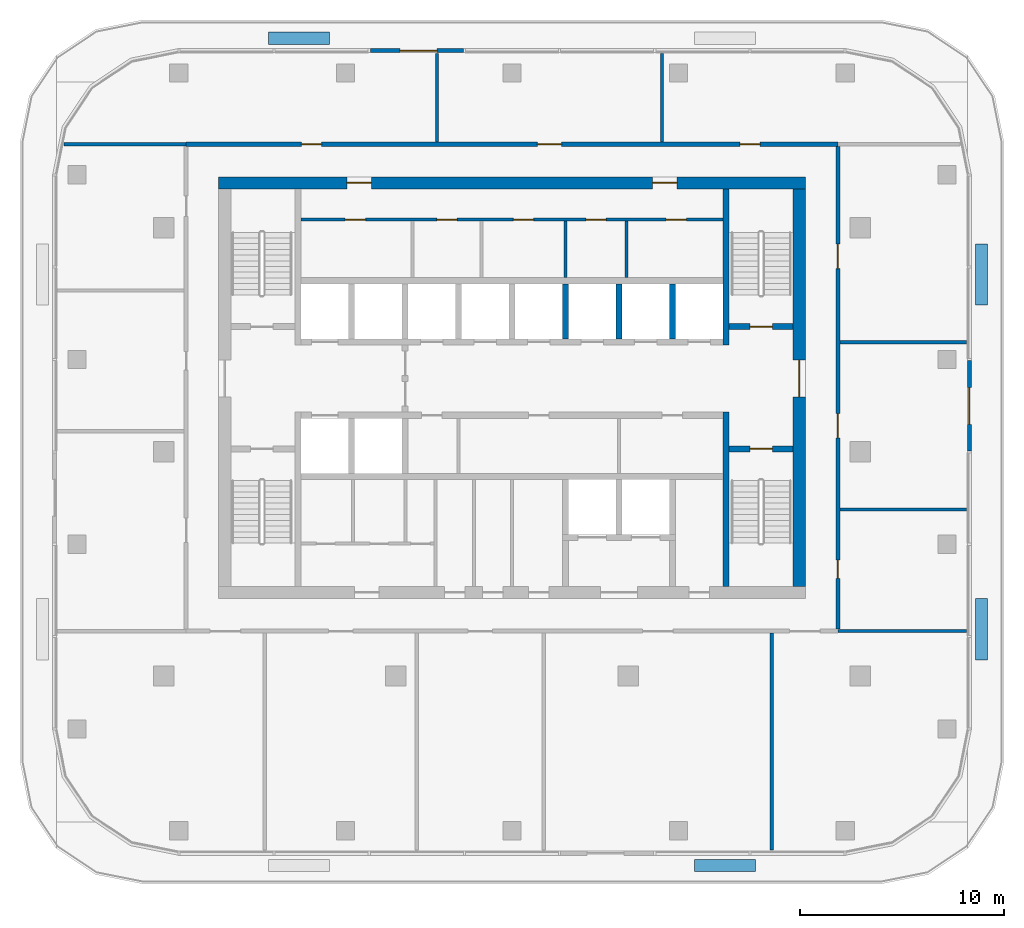
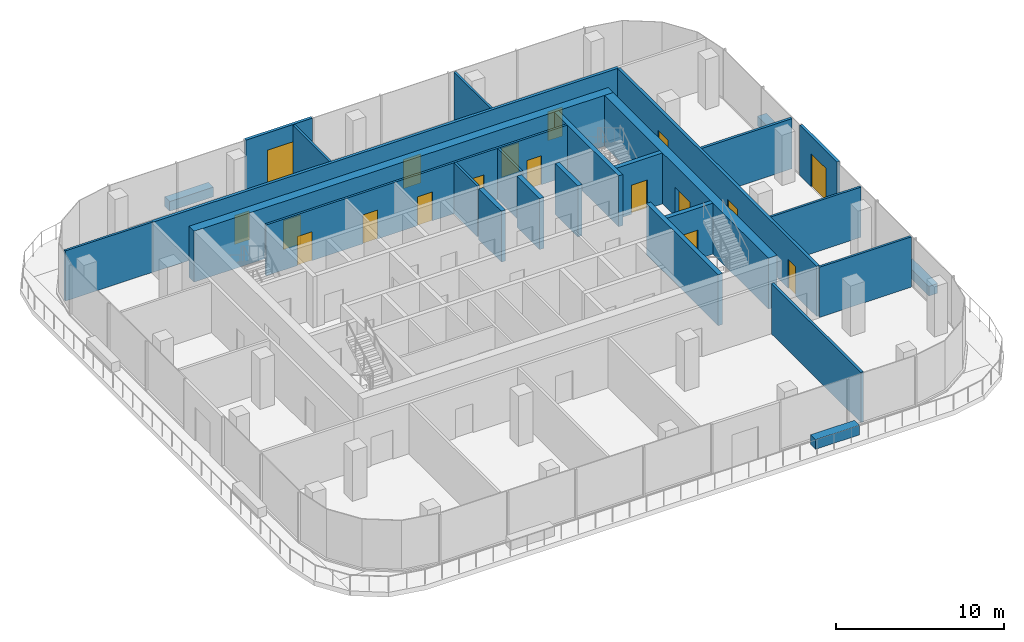
# One storey, part 8 of 12: 27 walls, 18 doors, 18 openings.
"""IFC4 building model written with IfcOpenShell, lengths in metres."""

from ifc_helpers import new_model, si_unit, direction, frame, frame_2d, origin, place, context, subcontext, project, spatial, rectangle, extrude, material, layer, layer_set, type_object, element, fill, save


model = new_model("IFC4")

# Units and contexts
model_context = context("Model", 3, precision=1e-05, world=origin(), true_north=direction((0.0, 1.0)))
body_context = subcontext(model_context, "Body", "Model", "MODEL_VIEW")
ifc_project = project(units=[si_unit("LENGTHUNIT", "METRE"), si_unit("AREAUNIT", "SQUARE_METRE"), si_unit("VOLUMEUNIT", "CUBIC_METRE"), si_unit("PLANEANGLEUNIT", "RADIAN"), si_unit("MASSUNIT", "GRAM", prefix="KILO")], contexts=[model_context])

# Site, building, storey
site_placement = place(None, origin())
site = spatial("IfcSite", under=ifc_project, at=site_placement, CompositionType="ELEMENT")
building_placement = place(site_placement, origin())
building = spatial("IfcBuilding", under=site, at=building_placement, Name="Mopane Tessera Tower", CompositionType="ELEMENT")
storey_placement = place(building_placement, frame((0.0, 0.0, 349.39990234375)))
storey = spatial("IfcBuildingStorey", under=building, at=storey_placement, Name="L76", CompositionType="ELEMENT", Elevation=349.39990234375)

# Walls
ifc_material_1 = material(Name="Fire-rated gypsum board partition")
ifc_layer_1 = layer(ifc_material_1, 0.14990234375)
ifc_layer_set_1 = layer_set([ifc_layer_1], Name="Fire-rated gypsum board partition")
wall_type_1 = type_object("IfcWallType", Name="Core room partition 150 mm", PredefinedType="PARTITIONING", material=ifc_layer_set_1)
for number, where, z_axis, x_axis, name in (
    (1, (2.625, 8.550048828125, 0.0), (0.0, 0.0, 1.0), (0.0, 1.0, 0.0), "L76 Room partition"),
    (2, (5.625, 8.550048828125, 0.0), (0.0, 0.0, 1.0), (0.0, 1.0, 0.0), "L76 Room partition"),
):
    element("IfcWall", number, at=place(storey_placement, frame(where, z_axis=z_axis, x_axis=x_axis)), inside=storey, type_object=wall_type_1, Name=name, PredefinedType="PARTITIONING", context=body_context, shape_type="SweptSolid", body=[
        extrude(rectangle(XDim=2.77490234375, YDim=0.14990234375, at=frame_2d((1.387451171875, 0.0))), origin(), (0.0, 0.0, 1.0), 3.7001953125),
    ])

# Wall, openings, doors
wall_1_placement = place(storey_placement, frame((-10.35009765625, 11.39990234375, 0.0), z_axis=(0.0, 0.0, 1.0), x_axis=(1.0, 0.0, 0.0)))
wall_1 = element("IfcWall", 3, at=wall_1_placement, inside=storey, type_object=wall_type_1, Name="L76 Corridor wall", PredefinedType="PARTITIONING", context=body_context, shape_type="SweptSolid", body=[
    extrude(rectangle(XDim=20.7001953125, YDim=0.14990234375, at=frame_2d((10.35009765625, 0.0))), origin(), (0.0, 0.0, 1.0), 3.7001953125),
])
opening_1_placement = place(wall_1_placement, frame((2.16259765625, 0.0, 0.0)))
opening_1 = element("IfcOpeningElement", 4, at=opening_1_placement, cuts=wall_1, Name="Opening RD1", PredefinedType="OPENING", context=body_context, shape_type="SweptSolid", body=[
    extrude(rectangle(XDim=1.0, YDim=2.10009765625, at=frame_2d((0.5, 1.050048828125))), frame((0.0, 0.0869140625, 0.0), z_axis=(0.0, -1.0, 0.0), x_axis=(1.0, 0.0, 0.0)), (0.0, 0.0, 1.0), 0.173828125),
])
opening_2_placement = place(wall_1_placement, frame((6.66259765625, 0.0, 0.0)))
opening_2 = element("IfcOpeningElement", 5, at=opening_2_placement, cuts=wall_1, Name="Opening RD1", PredefinedType="OPENING", context=body_context, shape_type="SweptSolid", body=[
    extrude(rectangle(XDim=1.0, YDim=2.10009765625, at=frame_2d((0.5, 1.050048828125))), frame((0.0, 0.0869140625, 0.0), z_axis=(0.0, -1.0, 0.0), x_axis=(1.0, 0.0, 0.0)), (0.0, 0.0, 1.0), 0.173828125),
])
opening_3_placement = place(wall_1_placement, frame((10.41259765625, 0.0, 0.0)))
opening_3 = element("IfcOpeningElement", 6, at=opening_3_placement, cuts=wall_1, Name="Opening RD1", PredefinedType="OPENING", context=body_context, shape_type="SweptSolid", body=[
    extrude(rectangle(XDim=1.0, YDim=2.10009765625, at=frame_2d((0.5, 1.050048828125))), frame((0.0, 0.0869140625, 0.0), z_axis=(0.0, -1.0, 0.0), x_axis=(1.0, 0.0, 0.0)), (0.0, 0.0, 1.0), 0.173828125),
])
opening_4_placement = place(wall_1_placement, frame((13.97509765625, 0.0, 0.0)))
opening_4 = element("IfcOpeningElement", 7, at=opening_4_placement, cuts=wall_1, Name="Opening RD1", PredefinedType="OPENING", context=body_context, shape_type="SweptSolid", body=[
    extrude(rectangle(XDim=1.0, YDim=2.10009765625, at=frame_2d((0.5, 1.050048828125))), frame((0.0, 0.0869140625, 0.0), z_axis=(0.0, -1.0, 0.0), x_axis=(1.0, 0.0, 0.0)), (0.0, 0.0, 1.0), 0.173828125),
])
opening_5_placement = place(wall_1_placement, frame((17.91259765625, 0.0, 0.0)))
opening_5 = element("IfcOpeningElement", 8, at=opening_5_placement, cuts=wall_1, Name="Opening RD1", PredefinedType="OPENING", context=body_context, shape_type="SweptSolid", body=[
    extrude(rectangle(XDim=1.0, YDim=2.10009765625, at=frame_2d((0.5, 1.050048828125))), frame((0.0, 0.0869140625, 0.0), z_axis=(0.0, -1.0, 0.0), x_axis=(1.0, 0.0, 0.0)), (0.0, 0.0, 1.0), 0.173828125),
])
ifc_material_2 = material(Name="Timber door", Category="wood")
door_type_1 = type_object("IfcDoorType", Name="Core room door 1000 x 2100", OperationType="SINGLE_SWING_LEFT", PredefinedType="DOOR", material=ifc_material_2)
door_1_placement = place(opening_1_placement, origin())
door_1 = element("IfcDoor", 9, at=door_1_placement, inside=storey, type_object=door_type_1, Name="L76 Room door", OperationType="SINGLE_SWING_LEFT", OverallHeight=2.10009765625, OverallWidth=1.0, PredefinedType="DOOR", context=body_context, shape_type="SweptSolid", body=[
    extrude(rectangle(XDim=1.0, YDim=2.10009765625, at=frame_2d((0.5, 1.050048828125))), frame((0.0, 0.02490234375, 0.0), z_axis=(0.0, -1.0, 0.0), x_axis=(1.0, 0.0, 0.0)), (0.0, 0.0, 1.0), 0.050048828125),
])
fill(opening_1, door_1)
door_2_placement = place(opening_2_placement, origin())
door_2 = element("IfcDoor", 10, at=door_2_placement, inside=storey, type_object=door_type_1, Name="L76 Room door", OperationType="SINGLE_SWING_LEFT", OverallHeight=2.10009765625, OverallWidth=1.0, PredefinedType="DOOR", context=body_context, shape_type="SweptSolid", body=[
    extrude(rectangle(XDim=1.0, YDim=2.10009765625, at=frame_2d((0.5, 1.050048828125))), frame((0.0, 0.02490234375, 0.0), z_axis=(0.0, -1.0, 0.0), x_axis=(1.0, 0.0, 0.0)), (0.0, 0.0, 1.0), 0.050048828125),
])
fill(opening_2, door_2)
door_3_placement = place(opening_3_placement, origin())
door_3 = element("IfcDoor", 11, at=door_3_placement, inside=storey, type_object=door_type_1, Name="L76 Room door", OperationType="SINGLE_SWING_LEFT", OverallHeight=2.10009765625, OverallWidth=1.0, PredefinedType="DOOR", context=body_context, shape_type="SweptSolid", body=[
    extrude(rectangle(XDim=1.0, YDim=2.10009765625, at=frame_2d((0.5, 1.050048828125))), frame((0.0, 0.02490234375, 0.0), z_axis=(0.0, -1.0, 0.0), x_axis=(1.0, 0.0, 0.0)), (0.0, 0.0, 1.0), 0.050048828125),
])
fill(opening_3, door_3)
door_4_placement = place(opening_4_placement, origin())
door_4 = element("IfcDoor", 12, at=door_4_placement, inside=storey, type_object=door_type_1, Name="L76 Room door", OperationType="SINGLE_SWING_LEFT", OverallHeight=2.10009765625, OverallWidth=1.0, PredefinedType="DOOR", context=body_context, shape_type="SweptSolid", body=[
    extrude(rectangle(XDim=1.0, YDim=2.10009765625, at=frame_2d((0.5, 1.050048828125))), frame((0.0, 0.02490234375, 0.0), z_axis=(0.0, -1.0, 0.0), x_axis=(1.0, 0.0, 0.0)), (0.0, 0.0, 1.0), 0.050048828125),
])
fill(opening_4, door_4)
door_5_placement = place(opening_5_placement, origin())
door_5 = element("IfcDoor", 13, at=door_5_placement, inside=storey, type_object=door_type_1, Name="L76 Room door", OperationType="SINGLE_SWING_LEFT", OverallHeight=2.10009765625, OverallWidth=1.0, PredefinedType="DOOR", context=body_context, shape_type="SweptSolid", body=[
    extrude(rectangle(XDim=1.0, YDim=2.10009765625, at=frame_2d((0.5, 1.050048828125))), frame((0.0, 0.02490234375, 0.0), z_axis=(0.0, -1.0, 0.0), x_axis=(1.0, 0.0, 0.0)), (0.0, 0.0, 1.0), 0.050048828125),
])
fill(opening_5, door_5)

ifc_material_3 = material(Name="Concrete C70/85", Category="concrete")
ifc_layer_2 = layer(ifc_material_3, 0.60009765625)
ifc_layer_set_2 = layer_set([ifc_layer_2], Name="Concrete C70/85")
wall_type_2 = type_object("IfcWallType", Name="Core shear wall 600 mm", PredefinedType="SHEAR", material=ifc_layer_set_2)
wall_2_placement = place(storey_placement, frame((-14.39990234375, 13.199951171875, 0.0), z_axis=(0.0, 0.0, 1.0), x_axis=(1.0, 0.0, 0.0)))
wall_2 = element("IfcWall", 14, at=wall_2_placement, inside=storey, type_object=wall_type_2, Name="L76 Core wall north", PredefinedType="SHEAR", context=body_context, shape_type="SweptSolid", body=[
    extrude(rectangle(XDim=28.7998046875, YDim=0.60009765625, at=frame_2d((14.39990234375, 0.0))), origin(), (0.0, 0.0, 1.0), 3.7001953125),
])
opening_6_placement = place(wall_2_placement, frame((6.300048828125, 0.0, 0.0)))
opening_6 = element("IfcOpeningElement", 15, at=opening_6_placement, cuts=wall_2, Name="Opening RD2", PredefinedType="OPENING", context=body_context, shape_type="SweptSolid", body=[
    extrude(rectangle(XDim=1.199951171875, YDim=2.10009765625, at=frame_2d((0.60009765625, 1.050048828125))), frame((0.0, 0.31201171875, 0.0), z_axis=(0.0, -1.0, 0.0), x_axis=(1.0, 0.0, 0.0)), (0.0, 0.0, 1.0), 0.6240234375),
])
opening_7_placement = place(wall_2_placement, frame((21.300048828125, 0.0, 0.0)))
opening_7 = element("IfcOpeningElement", 16, at=opening_7_placement, cuts=wall_2, Name="Opening RD2", PredefinedType="OPENING", context=body_context, shape_type="SweptSolid", body=[
    extrude(rectangle(XDim=1.199951171875, YDim=2.10009765625, at=frame_2d((0.60009765625, 1.050048828125))), frame((0.0, 0.31201171875, 0.0), z_axis=(0.0, -1.0, 0.0), x_axis=(1.0, 0.0, 0.0)), (0.0, 0.0, 1.0), 0.6240234375),
])
ifc_material_4 = material(Name="Timber door", Category="wood")
door_type_2 = type_object("IfcDoorType", Name="Core corridor door 1200 x 2100", OperationType="SINGLE_SWING_LEFT", PredefinedType="DOOR", material=ifc_material_4)
door_6_placement = place(opening_6_placement, origin())
door_6 = element("IfcDoor", 17, at=door_6_placement, inside=storey, type_object=door_type_2, Name="L76 Corridor door", OperationType="SINGLE_SWING_LEFT", OverallHeight=2.10009765625, OverallWidth=1.199951171875, PredefinedType="DOOR", context=body_context, shape_type="SweptSolid", body=[
    extrude(rectangle(XDim=1.199951171875, YDim=2.10009765625, at=frame_2d((0.60009765625, 1.050048828125))), frame((0.0, 0.02490234375, 0.0), z_axis=(0.0, -1.0, 0.0), x_axis=(1.0, 0.0, 0.0)), (0.0, 0.0, 1.0), 0.050048828125),
])
fill(opening_6, door_6)
door_7_placement = place(opening_7_placement, origin())
door_7 = element("IfcDoor", 18, at=door_7_placement, inside=storey, type_object=door_type_2, Name="L76 Corridor door", OperationType="SINGLE_SWING_RIGHT", OverallHeight=2.10009765625, OverallWidth=1.199951171875, PredefinedType="DOOR", context=body_context, shape_type="SweptSolid", body=[
    extrude(rectangle(XDim=1.199951171875, YDim=2.10009765625, at=frame_2d((0.60009765625, 1.050048828125))), frame((0.0, 0.02490234375, 0.0), z_axis=(0.0, -1.0, 0.0), x_axis=(1.0, 0.0, 0.0)), (0.0, 0.0, 1.0), 0.050048828125),
])
fill(opening_7, door_7)

# Wall, opening, door
wall_3_placement = place(storey_placement, frame((14.10009765625, -6.60009765625, 0.0), z_axis=(0.0, 0.0, 1.0), x_axis=(0.0, 1.0, 0.0)))
wall_3 = element("IfcWall", 19, at=wall_3_placement, inside=storey, type_object=wall_type_2, Name="L76 Core wall east", PredefinedType="SHEAR", context=body_context, shape_type="SweptSolid", body=[
    extrude(rectangle(XDim=19.5, YDim=0.60009765625, at=frame_2d((9.75, 0.0))), origin(), (0.0, 0.0, 1.0), 3.7001953125),
])
opening_8_placement = place(wall_3_placement, frame((9.300048828125, 0.0, 0.0)))
opening_8 = element("IfcOpeningElement", 20, at=opening_8_placement, cuts=wall_3, Name="Opening SD2", PredefinedType="OPENING", context=body_context, shape_type="SweptSolid", body=[
    extrude(rectangle(XDim=1.800048828125, YDim=2.10009765625, at=frame_2d((0.89990234375, 1.050048828125))), frame((0.0, 0.31201171875, 0.0), z_axis=(0.0, -1.0, 0.0), x_axis=(1.0, 0.0, 0.0)), (0.0, 0.0, 1.0), 0.6240234375),
])
ifc_material_5 = material(Name="Steel fire door", Category="steel")
door_type_3 = type_object("IfcDoorType", Name="Core entrance double door 1800 x 2100", OperationType="DOUBLE_DOOR_SINGLE_SWING", PredefinedType="DOOR", material=ifc_material_5)
door_8_placement = place(opening_8_placement, origin())
door_8 = element("IfcDoor", 21, at=door_8_placement, inside=storey, type_object=door_type_3, Name="L76 Core entrance door east", OperationType="DOUBLE_DOOR_SINGLE_SWING", OverallHeight=2.10009765625, OverallWidth=1.800048828125, PredefinedType="DOOR", context=body_context, shape_type="SweptSolid", body=[
    extrude(rectangle(XDim=1.800048828125, YDim=2.10009765625, at=frame_2d((0.89990234375, 1.050048828125))), frame((0.0, 0.02490234375, 0.0), z_axis=(0.0, -1.0, 0.0), x_axis=(1.0, 0.0, 0.0)), (0.0, 0.0, 1.0), 0.050048828125),
])
fill(opening_8, door_8)

# Walls
ifc_material_6 = material(Name="Concrete C60/75", Category="concrete")
ifc_layer_3 = layer(ifc_material_6, 0.300048828125)
ifc_layer_set_3 = layer_set([ifc_layer_3], Name="Concrete C60/75")
wall_type_3 = type_object("IfcWallType", Name="Core spine wall 300 mm", PredefinedType="SHEAR", material=ifc_layer_set_3)
wall_4_placement = place(storey_placement, frame((10.5, -6.60009765625, 0.0), z_axis=(0.0, 0.0, 1.0), x_axis=(0.0, 1.0, 0.0)))
element("IfcWall", 22, at=wall_4_placement, inside=storey, type_object=wall_type_3, Name="L76 Core spine wall", PredefinedType="SHEAR", context=body_context, shape_type="SweptSolid", body=[
    extrude(rectangle(XDim=8.550048828125, YDim=0.300048828125, at=frame_2d((4.27490234375, 0.0))), origin(), (0.0, 0.0, 1.0), 3.7001953125),
])
wall_5_placement = place(storey_placement, frame((10.5, 5.25, 0.0), z_axis=(0.0, 0.0, 1.0), x_axis=(0.0, 1.0, 0.0)))
element("IfcWall", 23, at=wall_5_placement, inside=storey, type_object=wall_type_3, Name="L76 Core spine wall", PredefinedType="SHEAR", context=body_context, shape_type="SweptSolid", body=[
    extrude(rectangle(XDim=7.64990234375, YDim=0.300048828125, at=frame_2d((3.824951171875, 0.0))), origin(), (0.0, 0.0, 1.0), 3.7001953125),
])
ifc_material_7 = material(Name="Gypsum board on staggered steel studs, double layer each face, acoustic mineral wool infill", Category="steel")
ifc_layer_4 = layer(ifc_material_7, 0.175048828125)
ifc_layer_set_4 = layer_set([ifc_layer_4], Name="Gypsum board on staggered steel studs, double layer each face, acoustic mineral wool infill")
wall_type_4 = type_object("IfcWallType", Name="Gypsum board acoustic partition 175, rated EI 60", PredefinedType="PARTITIONING", material=ifc_layer_set_4)
wall_6_placement = place(storey_placement, frame((16.10009765625, 5.389892578125, 0.0), z_axis=(0.0, 0.0, 1.0), x_axis=(1.0, 0.0, 0.0)))
element("IfcWall", 24, at=wall_6_placement, inside=storey, type_object=wall_type_4, Name="Partition L76:005", PredefinedType="PARTITIONING", context=body_context, shape_type="SweptSolid", body=[
    extrude(rectangle(XDim=6.199951171875, YDim=0.175048828125, at=frame_2d((3.10009765625, 0.0))), origin(), (0.0, 0.0, 1.0), 3.650146484375),
])
wall_7_placement = place(storey_placement, frame((12.760009765625, -19.550048828125, 0.0), z_axis=(0.0, 0.0, 1.0), x_axis=(0.0, 1.0, 0.0)))
element("IfcWall", 25, at=wall_7_placement, inside=storey, type_object=wall_type_4, Name="Partition L76:016", PredefinedType="PARTITIONING", context=body_context, shape_type="SweptSolid", body=[
    extrude(rectangle(XDim=10.650146484375, YDim=0.175048828125, at=frame_2d((5.3251953125, 0.0))), origin(), (0.0, 0.0, 1.0), 3.650146484375),
])

# Wall, openings, doors
ifc_material_8 = material(Name="Gypsum board on steel studs, two layers each face, mineral wool infill", Category="steel")
ifc_layer_5 = layer(ifc_material_8, 0.199951171875)
ifc_layer_set_5 = layer_set([ifc_layer_5], Name="Gypsum board on steel studs, two layers each face, mineral wool infill")
wall_type_5 = type_object("IfcWallType", Name="Gypsum board corridor wall 200, rated EI 60", PredefinedType="PARTITIONING", material=ifc_layer_set_5)
wall_8_placement = place(storey_placement, frame((-16.0, 15.10009765625, 0.0), z_axis=(0.0, 0.0, 1.0), x_axis=(1.0, 0.0, 0.0)))
wall_8 = element("IfcWall", 26, at=wall_8_placement, inside=storey, type_object=wall_type_5, Name="Partition L76:009", PredefinedType="PARTITIONING", context=body_context, shape_type="SweptSolid", body=[
    extrude(rectangle(XDim=32.0, YDim=0.199951171875, at=frame_2d((16.0, 0.0))), origin(), (0.0, 0.0, 1.0), 3.650146484375),
])
opening_9_placement = place(wall_8_placement, frame((17.239990234375, 0.0, 0.0)))
opening_9 = element("IfcOpeningElement", 27, at=opening_9_placement, cuts=wall_8, Name="Opening L76-06", PredefinedType="OPENING", context=body_context, shape_type="SweptSolid", body=[
    extrude(rectangle(XDim=1.199951171875, YDim=2.10009765625, at=frame_2d((0.60009765625, 1.050048828125))), frame((0.0, 0.112060546875, 0.0), z_axis=(0.0, -1.0, 0.0), x_axis=(1.0, 0.0, 0.0)), (0.0, 0.0, 1.0), 0.223876953125),
])
opening_10_placement = place(wall_8_placement, frame((27.1826171875, 0.0, 0.0)))
opening_10 = element("IfcOpeningElement", 28, at=opening_10_placement, cuts=wall_8, Name="Opening L76-10", PredefinedType="OPENING", context=body_context, shape_type="SweptSolid", body=[
    extrude(rectangle(XDim=1.0, YDim=2.10009765625, at=frame_2d((0.5, 1.050048828125))), frame((0.0, 0.112060546875, 0.0), z_axis=(0.0, -1.0, 0.0), x_axis=(1.0, 0.0, 0.0)), (0.0, 0.0, 1.0), 0.223876953125),
])
opening_11_placement = place(wall_8_placement, frame((5.657470703125, 0.0, 0.0)))
opening_11 = element("IfcOpeningElement", 29, at=opening_11_placement, cuts=wall_8, Name="Opening L76-13", PredefinedType="OPENING", context=body_context, shape_type="SweptSolid", body=[
    extrude(rectangle(XDim=1.0, YDim=2.10009765625, at=frame_2d((0.5, 1.050048828125))), frame((0.0, 0.112060546875, 0.0), z_axis=(0.0, -1.0, 0.0), x_axis=(1.0, 0.0, 0.0)), (0.0, 0.0, 1.0), 0.223876953125),
])
ifc_material_9 = material(Name="Timber veneered steel-framed fire door", Category="steel")
door_type_4 = type_object("IfcDoorType", Name="Fire door FD60 1000 x 2100", OperationType="SINGLE_SWING_LEFT", PredefinedType="DOOR", material=ifc_material_9)
door_9_placement = place(opening_10_placement, origin())
door_9 = element("IfcDoor", 30, at=door_9_placement, inside=storey, type_object=door_type_4, Name="Door L76-10", ObjectType="D12A", OperationType="SINGLE_SWING_LEFT", OverallHeight=2.10009765625, OverallWidth=1.0, PredefinedType="DOOR", context=body_context, shape_type="SweptSolid", body=[
    extrude(rectangle(XDim=1.0, YDim=2.10009765625, at=frame_2d((0.5, 1.050048828125))), frame((0.0, 0.02490234375, 0.0), z_axis=(0.0, -1.0, 0.0), x_axis=(1.0, 0.0, 0.0)), (0.0, 0.0, 1.0), 0.050048828125),
])
fill(opening_10, door_9)
door_10_placement = place(opening_11_placement, origin())
door_10 = element("IfcDoor", 31, at=door_10_placement, inside=storey, type_object=door_type_4, Name="Door L76-13", ObjectType="D12A", OperationType="SINGLE_SWING_RIGHT", OverallHeight=2.10009765625, OverallWidth=1.0, PredefinedType="DOOR", context=body_context, shape_type="SweptSolid", body=[
    extrude(rectangle(XDim=1.0, YDim=2.10009765625, at=frame_2d((0.5, 1.050048828125))), frame((0.0, 0.02490234375, 0.0), z_axis=(0.0, -1.0, 0.0), x_axis=(1.0, 0.0, 0.0)), (0.0, 0.0, 1.0), 0.050048828125),
])
fill(opening_11, door_10)
ifc_material_10 = material(Name="Timber veneered steel-framed fire door", Category="steel")
door_type_5 = type_object("IfcDoorType", Name="Fire door FD60 1200 x 2100", OperationType="SINGLE_SWING_LEFT", PredefinedType="DOOR", material=ifc_material_10)
door_11_placement = place(opening_9_placement, origin())
door_11 = element("IfcDoor", 32, at=door_11_placement, inside=storey, type_object=door_type_5, Name="Door L76-06", ObjectType="D15A", OperationType="SINGLE_SWING_LEFT", OverallHeight=2.10009765625, OverallWidth=1.199951171875, PredefinedType="DOOR", context=body_context, shape_type="SweptSolid", body=[
    extrude(rectangle(XDim=1.199951171875, YDim=2.10009765625, at=frame_2d((0.60009765625, 1.050048828125))), frame((0.0, 0.02490234375, 0.0), z_axis=(0.0, -1.0, 0.0), x_axis=(1.0, 0.0, 0.0)), (0.0, 0.0, 1.0), 0.050048828125),
])
fill(opening_9, door_11)

wall_9_placement = place(storey_placement, frame((16.0, -8.699951171875, 0.0), z_axis=(0.0, 0.0, 1.0), x_axis=(0.0, 1.0, 0.0)))
wall_9 = element("IfcWall", 33, at=wall_9_placement, inside=storey, type_object=wall_type_5, Name="Partition L76:017", PredefinedType="PARTITIONING", context=body_context, shape_type="SweptSolid", body=[
    extrude(rectangle(XDim=23.699951171875, YDim=0.199951171875, at=frame_2d((11.85009765625, 0.0))), origin(), (0.0, 0.0, 1.0), 3.650146484375),
])
opening_12_placement = place(wall_9_placement, frame((17.695068359375, 0.0, 0.0)))
opening_12 = element("IfcOpeningElement", 34, at=opening_12_placement, cuts=wall_9, Name="Opening L76-05", PredefinedType="OPENING", context=body_context, shape_type="SweptSolid", body=[
    extrude(rectangle(XDim=1.199951171875, YDim=2.10009765625, at=frame_2d((0.60009765625, 1.050048828125))), frame((0.0, 0.112060546875, 0.0), z_axis=(0.0, -1.0, 0.0), x_axis=(1.0, 0.0, 0.0)), (0.0, 0.0, 1.0), 0.223876953125),
])
opening_13_placement = place(wall_9_placement, frame((9.382568359375, 0.0, 0.0)))
opening_13 = element("IfcOpeningElement", 35, at=opening_13_placement, cuts=wall_9, Name="Opening L76-08", PredefinedType="OPENING", context=body_context, shape_type="SweptSolid", body=[
    extrude(rectangle(XDim=1.199951171875, YDim=2.10009765625, at=frame_2d((0.60009765625, 1.050048828125))), frame((0.0, 0.112060546875, 0.0), z_axis=(0.0, -1.0, 0.0), x_axis=(1.0, 0.0, 0.0)), (0.0, 0.0, 1.0), 0.223876953125),
])
opening_14_placement = place(wall_9_placement, frame((2.487548828125, 0.0, 0.0)))
opening_14 = element("IfcOpeningElement", 36, at=opening_14_placement, cuts=wall_9, Name="Opening L76-12", PredefinedType="OPENING", context=body_context, shape_type="SweptSolid", body=[
    extrude(rectangle(XDim=0.89990234375, YDim=2.10009765625, at=frame_2d((0.449951171875, 1.050048828125))), frame((0.0, 0.112060546875, 0.0), z_axis=(0.0, -1.0, 0.0), x_axis=(1.0, 0.0, 0.0)), (0.0, 0.0, 1.0), 0.223876953125),
])
door_12_placement = place(opening_12_placement, origin())
door_12 = element("IfcDoor", 37, at=door_12_placement, inside=storey, type_object=door_type_5, Name="Door L76-05", ObjectType="D15A", OperationType="SINGLE_SWING_LEFT", OverallHeight=2.10009765625, OverallWidth=1.199951171875, PredefinedType="DOOR", context=body_context, shape_type="SweptSolid", body=[
    extrude(rectangle(XDim=1.199951171875, YDim=2.10009765625, at=frame_2d((0.60009765625, 1.050048828125))), frame((0.0, 0.02490234375, 0.0), z_axis=(0.0, -1.0, 0.0), x_axis=(1.0, 0.0, 0.0)), (0.0, 0.0, 1.0), 0.050048828125),
])
fill(opening_12, door_12)
door_13_placement = place(opening_13_placement, origin())
door_13 = element("IfcDoor", 38, at=door_13_placement, inside=storey, type_object=door_type_5, Name="Door L76-08", ObjectType="D15A", OperationType="SINGLE_SWING_RIGHT", OverallHeight=2.10009765625, OverallWidth=1.199951171875, PredefinedType="DOOR", context=body_context, shape_type="SweptSolid", body=[
    extrude(rectangle(XDim=1.199951171875, YDim=2.10009765625, at=frame_2d((0.60009765625, 1.050048828125))), frame((0.0, 0.02490234375, 0.0), z_axis=(0.0, -1.0, 0.0), x_axis=(1.0, 0.0, 0.0)), (0.0, 0.0, 1.0), 0.050048828125),
])
fill(opening_13, door_13)
ifc_material_11 = material(Name="Timber veneered steel-framed fire door", Category="steel")
door_type_6 = type_object("IfcDoorType", Name="Fire door FD60 900 x 2100", OperationType="SINGLE_SWING_LEFT", PredefinedType="DOOR", material=ifc_material_11)
door_14_placement = place(opening_14_placement, origin())
door_14 = element("IfcDoor", 39, at=door_14_placement, inside=storey, type_object=door_type_6, Name="Door L76-12", ObjectType="D10A", OperationType="SINGLE_SWING_RIGHT", OverallHeight=2.10009765625, OverallWidth=0.89990234375, PredefinedType="DOOR", context=body_context, shape_type="SweptSolid", body=[
    extrude(rectangle(XDim=0.89990234375, YDim=2.10009765625, at=frame_2d((0.449951171875, 1.050048828125))), frame((0.0, 0.02490234375, 0.0), z_axis=(0.0, -1.0, 0.0), x_axis=(1.0, 0.0, 0.0)), (0.0, 0.0, 1.0), 0.050048828125),
])
fill(opening_14, door_14)

# Walls
ifc_material_12 = material(Name="Gypsum board on steel studs, mineral wool infill", Category="steel")
ifc_layer_6 = layer(ifc_material_12, 0.14990234375)
ifc_layer_set_6 = layer_set([ifc_layer_6], Name="Gypsum board on steel studs, mineral wool infill")
wall_type_6 = type_object("IfcWallType", Name="Gypsum board partition 150, rated EI 60", PredefinedType="PARTITIONING", material=ifc_layer_set_6)
wall_10_placement = place(storey_placement, frame((16.0, -8.800048828125, 0.0), z_axis=(0.0, 0.0, 1.0), x_axis=(1.0, 0.0, 0.0)))
element("IfcWall", 40, at=wall_10_placement, inside=storey, type_object=wall_type_6, Name="Partition L76:000", PredefinedType="PARTITIONING", context=body_context, shape_type="SweptSolid", body=[
    extrude(rectangle(XDim=6.300048828125, YDim=0.14990234375, at=frame_2d((3.14990234375, 0.0))), origin(), (0.0, 0.0, 1.0), 3.650146484375),
])
wall_11_placement = place(storey_placement, frame((16.10009765625, -2.824951171875, 0.0), z_axis=(0.0, 0.0, 1.0), x_axis=(1.0, 0.0, 0.0)))
element("IfcWall", 41, at=wall_11_placement, inside=storey, type_object=wall_type_6, Name="Partition L76:003", PredefinedType="PARTITIONING", context=body_context, shape_type="SweptSolid", body=[
    extrude(rectangle(XDim=6.199951171875, YDim=0.14990234375, at=frame_2d((3.10009765625, 0.0))), origin(), (0.0, 0.0, 1.0), 3.650146484375),
])
wall_12_placement = place(storey_placement, frame((-22.0, 15.10009765625, 0.0), z_axis=(0.0, 0.0, 1.0), x_axis=(1.0, 0.0, 0.0)))
element("IfcWall", 42, at=wall_12_placement, inside=storey, type_object=wall_type_6, Name="Partition L76:007", PredefinedType="PARTITIONING", context=body_context, shape_type="SweptSolid", body=[
    extrude(rectangle(XDim=6.0, YDim=0.14990234375, at=frame_2d((3.0, 0.0))), origin(), (0.0, 0.0, 1.0), 3.650146484375),
])
for number, where, z_axis, x_axis, name in (
    (43, (-3.68505859375, 15.199951171875, 0.0), (0.0, 0.0, 1.0), (0.0, 1.0, 0.0), "Partition L76:013"),
    (44, (7.364990234375, 15.199951171875, 0.0), (0.0, 0.0, 1.0), (0.0, 1.0, 0.0), "Partition L76:015"),
):
    element("IfcWall", number, at=place(storey_placement, frame(where, z_axis=z_axis, x_axis=x_axis)), inside=storey, type_object=wall_type_6, Name=name, PredefinedType="PARTITIONING", context=body_context, shape_type="SweptSolid", body=[
        extrude(rectangle(XDim=4.35009765625, YDim=0.14990234375, at=frame_2d((2.175048828125, 0.0))), origin(), (0.0, 0.0, 1.0), 3.650146484375),
    ])

# Wall, opening, door
ifc_material_13 = material(Name="Concrete C50/60", Category="concrete")
ifc_layer_7 = layer(ifc_material_13, 0.300048828125)
ifc_layer_set_7 = layer_set([ifc_layer_7], Name="Concrete C50/60")
wall_type_7 = type_object("IfcWallType", Name="Lift and stair shaft wall 300 mm", PredefinedType="SOLIDWALL", material=ifc_layer_set_7)
wall_13_placement = place(storey_placement, frame((10.64990234375, 0.14990234375, 0.0), z_axis=(0.0, 0.0, 1.0), x_axis=(1.0, 0.0, 0.0)))
wall_13 = element("IfcWall", 45, at=wall_13_placement, inside=storey, type_object=wall_type_7, Name="L76 Stair enclosure wall", PredefinedType="SOLIDWALL", context=body_context, shape_type="SweptSolid", body=[
    extrude(rectangle(XDim=3.150146484375, YDim=0.300048828125, at=frame_2d((1.5751953125, 0.0))), origin(), (0.0, 0.0, 1.0), 3.7001953125),
])
opening_15_placement = place(wall_13_placement, frame((1.02490234375, 0.0, 0.0)))
opening_15 = element("IfcOpeningElement", 46, at=opening_15_placement, cuts=wall_13, Name="Opening SD1", PredefinedType="OPENING", context=body_context, shape_type="SweptSolid", body=[
    extrude(rectangle(XDim=1.10009765625, YDim=2.10009765625, at=frame_2d((0.550048828125, 1.050048828125))), frame((0.0, 0.162109375, 0.0), z_axis=(0.0, -1.0, 0.0), x_axis=(1.0, 0.0, 0.0)), (0.0, 0.0, 1.0), 0.323974609375),
])
ifc_material_14 = material(Name="Steel fire door", Category="steel")
door_type_7 = type_object("IfcDoorType", Name="Stair fire door 1100 x 2100", OperationType="SINGLE_SWING_LEFT", PredefinedType="DOOR", material=ifc_material_14)
door_15_placement = place(opening_15_placement, origin())
door_15 = element("IfcDoor", 47, at=door_15_placement, inside=storey, type_object=door_type_7, Name="L76 Stair door ST3", OperationType="SINGLE_SWING_RIGHT", OverallHeight=2.10009765625, OverallWidth=1.10009765625, PredefinedType="DOOR", context=body_context, shape_type="SweptSolid", body=[
    extrude(rectangle(XDim=1.10009765625, YDim=2.10009765625, at=frame_2d((0.550048828125, 1.050048828125))), frame((0.0, 0.02490234375, 0.0), z_axis=(0.0, -1.0, 0.0), x_axis=(1.0, 0.0, 0.0)), (0.0, 0.0, 1.0), 0.050048828125),
])
fill(opening_15, door_15)

wall_14_placement = place(storey_placement, frame((10.64990234375, 6.14990234375, 0.0), z_axis=(0.0, 0.0, 1.0), x_axis=(1.0, 0.0, 0.0)))
wall_14 = element("IfcWall", 48, at=wall_14_placement, inside=storey, type_object=wall_type_7, Name="L76 Stair enclosure wall", PredefinedType="SOLIDWALL", context=body_context, shape_type="SweptSolid", body=[
    extrude(rectangle(XDim=3.150146484375, YDim=0.300048828125, at=frame_2d((1.5751953125, 0.0))), origin(), (0.0, 0.0, 1.0), 3.7001953125),
])
opening_16_placement = place(wall_14_placement, frame((1.02490234375, 0.0, 0.0)))
opening_16 = element("IfcOpeningElement", 49, at=opening_16_placement, cuts=wall_14, Name="Opening SD1", PredefinedType="OPENING", context=body_context, shape_type="SweptSolid", body=[
    extrude(rectangle(XDim=1.10009765625, YDim=2.10009765625, at=frame_2d((0.550048828125, 1.050048828125))), frame((0.0, 0.162109375, 0.0), z_axis=(0.0, -1.0, 0.0), x_axis=(1.0, 0.0, 0.0)), (0.0, 0.0, 1.0), 0.323974609375),
])
door_16_placement = place(opening_16_placement, origin())
door_16 = element("IfcDoor", 50, at=door_16_placement, inside=storey, type_object=door_type_7, Name="L76 Stair door ST4", OperationType="SINGLE_SWING_RIGHT", OverallHeight=2.10009765625, OverallWidth=1.10009765625, PredefinedType="DOOR", context=body_context, shape_type="SweptSolid", body=[
    extrude(rectangle(XDim=1.10009765625, YDim=2.10009765625, at=frame_2d((0.550048828125, 1.050048828125))), frame((0.0, 0.02490234375, 0.0), z_axis=(0.0, -1.0, 0.0), x_axis=(1.0, 0.0, 0.0)), (0.0, 0.0, 1.0), 0.050048828125),
])
fill(opening_16, door_16)

# Walls
for number, where, z_axis, x_axis, name in (
    (51, (2.625, 5.550048828125, 0.0), (0.0, 0.0, 1.0), (0.0, 1.0, 0.0), "L76 Lift shaft wall"),
    (52, (5.25, 5.550048828125, 0.0), (0.0, 0.0, 1.0), (0.0, 1.0, 0.0), "L76 Lift shaft wall"),
    (53, (7.875, 5.550048828125, 0.0), (0.0, 0.0, 1.0), (0.0, 1.0, 0.0), "L76 Lift shaft wall"),
):
    element("IfcWall", number, at=place(storey_placement, frame(where, z_axis=z_axis, x_axis=x_axis)), inside=storey, type_object=wall_type_7, Name=name, PredefinedType="SOLIDWALL", context=body_context, shape_type="SweptSolid", body=[
        extrude(rectangle(XDim=2.699951171875, YDim=0.300048828125, at=frame_2d((1.35009765625, 0.0))), origin(), (0.0, 0.0, 1.0), 3.7001953125),
    ])
ifc_material_15 = material(Name="Reinforced concrete C32/40 with waterproofing", Category="concrete")
ifc_layer_8 = layer(ifc_material_15, 0.60009765625)
ifc_layer_set_8 = layer_set([ifc_layer_8], Name="Reinforced concrete C32/40 with waterproofing")
wall_type_8 = type_object("IfcWallType", Name="Planter trough 3000 x 600", PredefinedType="STANDARD", material=ifc_layer_set_8)
for number, where, z_axis, x_axis, name in (
    (54, (8.964111328125, -20.300048828125, 0.0), (0.0, 0.0, 1.0), (1.0, 0.0, 0.0), "e:sp:L76:S1"),
    (55, (23.050048828125, -10.2041015625, 0.0), (0.0, 0.0, 1.0), (0.0, 1.0, 0.0), "e:sp:L76:E0"),
    (56, (23.050048828125, 7.2041015625, 0.0), (0.0, 0.0, 1.0), (0.0, 1.0, 0.0), "e:sp:L76:E1"),
    (57, (-8.964111328125, 20.300048828125, 0.0), (0.0, 0.0, 1.0), (-1.0, 0.0, 0.0), "e:sp:L76:N1"),
):
    element("IfcWall", number, at=place(storey_placement, frame(where, z_axis=z_axis, x_axis=x_axis)), inside=storey, type_object=wall_type_8, Name=name, PredefinedType="STANDARD", context=body_context, shape_type="SweptSolid", body=[
        extrude(rectangle(XDim=3.0, YDim=0.60009765625, at=frame_2d((1.5, 0.0))), origin(), (0.0, 0.0, 1.0), 0.7001953125),
    ])

# Wall, opening, door
ifc_material_16 = material(Name="Blockwork with glazed tile facing", Category="masonry")
ifc_layer_9 = layer(ifc_material_16, 0.199951171875)
ifc_layer_set_9 = layer_set([ifc_layer_9], Name="Blockwork with glazed tile facing")
wall_type_9 = type_object("IfcWallType", Name="Tile-clad portal wall 200", PredefinedType="STANDARD", material=ifc_layer_set_9)
wall_15_placement = place(storey_placement, frame((22.449951171875, 0.050048828125, 0.0), z_axis=(0.0, 0.0, 1.0), x_axis=(0.0, 1.0, 0.0)))
wall_15 = element("IfcWall", 58, at=wall_15_placement, inside=storey, type_object=wall_type_9, Name="e:pw:L76:E", PredefinedType="STANDARD", context=body_context, shape_type="SweptSolid", body=[
    extrude(rectangle(XDim=4.433349609375, YDim=0.199951171875, at=frame_2d((2.216796875, 0.0))), origin(), (0.0, 0.0, 1.0), 3.650146484375),
])
opening_17_placement = place(wall_15_placement, frame((1.300048828125, 0.0, 0.0)))
opening_17 = element("IfcOpeningElement", 59, at=opening_17_placement, cuts=wall_15, Name="Opening TD76E", PredefinedType="OPENING", context=body_context, shape_type="SweptSolid", body=[
    extrude(rectangle(XDim=1.800048828125, YDim=2.39990234375, at=frame_2d((0.89990234375, 1.199951171875))), frame((0.0, 0.112060546875, 0.0), z_axis=(0.0, -1.0, 0.0), x_axis=(1.0, 0.0, 0.0)), (0.0, 0.0, 1.0), 0.223876953125),
])
ifc_material_17 = material(Name="Aluminium and clear glass", Category="aluminium")
door_type_8 = type_object("IfcDoorType", Name="Terrace double door 1800 x 2400", OperationType="DOUBLE_DOOR_SINGLE_SWING", PredefinedType="DOOR", material=ifc_material_17)
door_17_placement = place(opening_17_placement, origin())
door_17 = element("IfcDoor", 60, at=door_17_placement, inside=storey, type_object=door_type_8, Name="e:pw:L76:E:door", ObjectType="D1", OperationType="DOUBLE_DOOR_SINGLE_SWING", OverallHeight=2.39990234375, OverallWidth=1.800048828125, PredefinedType="DOOR", context=body_context, shape_type="SweptSolid", body=[
    extrude(rectangle(XDim=1.800048828125, YDim=2.39990234375, at=frame_2d((0.89990234375, 1.199951171875))), frame((0.0, 0.02490234375, 0.0), z_axis=(0.0, -1.0, 0.0), x_axis=(1.0, 0.0, 0.0)), (0.0, 0.0, 1.0), 0.050048828125),
])
fill(opening_17, door_17)

wall_16_placement = place(storey_placement, frame((-2.3857421875, 19.699951171875, 0.0), z_axis=(0.0, 0.0, 1.0), x_axis=(-1.0, 0.0, 0.0)))
wall_16 = element("IfcWall", 61, at=wall_16_placement, inside=storey, type_object=wall_type_9, Name="e:pw:L76:N", PredefinedType="STANDARD", context=body_context, shape_type="SweptSolid", body=[
    extrude(rectangle(XDim=4.5712890625, YDim=0.199951171875, at=frame_2d((2.28564453125, 0.0))), origin(), (0.0, 0.0, 1.0), 3.650146484375),
])
opening_18_placement = place(wall_16_placement, frame((1.300048828125, 0.0, 0.0)))
opening_18 = element("IfcOpeningElement", 62, at=opening_18_placement, cuts=wall_16, Name="Opening TD76N", PredefinedType="OPENING", context=body_context, shape_type="SweptSolid", body=[
    extrude(rectangle(XDim=1.800048828125, YDim=2.39990234375, at=frame_2d((0.89990234375, 1.199951171875))), frame((0.0, 0.112060546875, 0.0), z_axis=(0.0, -1.0, 0.0), x_axis=(1.0, 0.0, 0.0)), (0.0, 0.0, 1.0), 0.223876953125),
])
door_18_placement = place(opening_18_placement, origin())
door_18 = element("IfcDoor", 63, at=door_18_placement, inside=storey, type_object=door_type_8, Name="e:pw:L76:N:door", ObjectType="D1", OperationType="DOUBLE_DOOR_SINGLE_SWING", OverallHeight=2.39990234375, OverallWidth=1.800048828125, PredefinedType="DOOR", context=body_context, shape_type="SweptSolid", body=[
    extrude(rectangle(XDim=1.800048828125, YDim=2.39990234375, at=frame_2d((0.89990234375, 1.199951171875))), frame((0.0, 0.02490234375, 0.0), z_axis=(0.0, -1.0, 0.0), x_axis=(1.0, 0.0, 0.0)), (0.0, 0.0, 1.0), 0.050048828125),
])
fill(opening_18, door_18)

save(model, "model.ifc")
